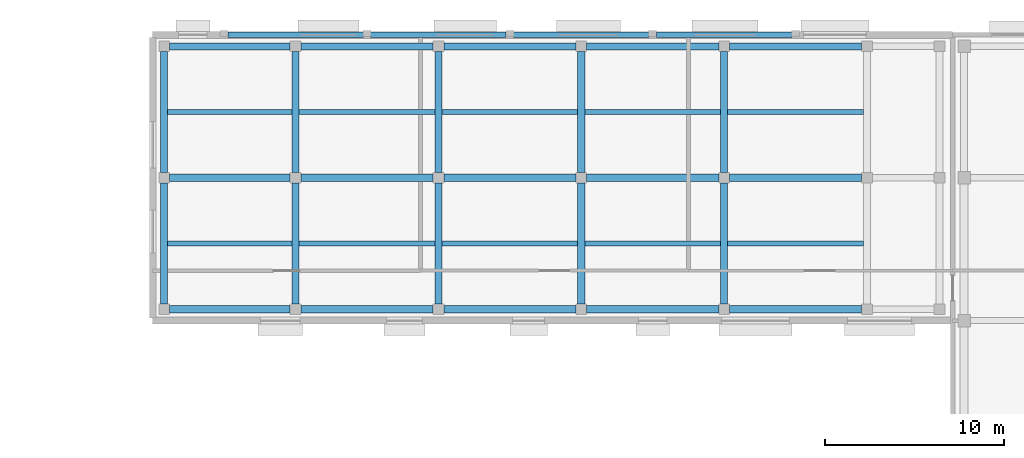
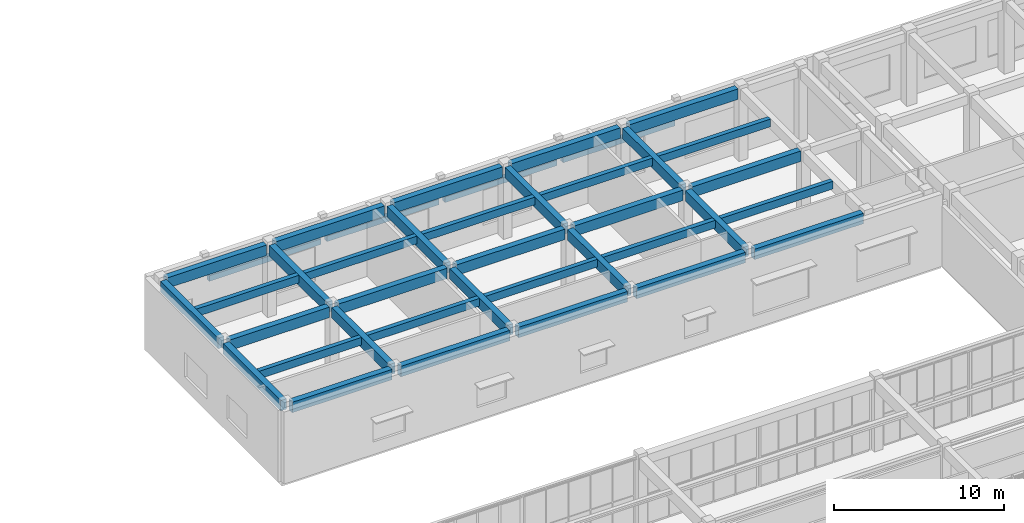
# One storey, part 20 of 64: 39 beams.
"""IFC4 building model written with IfcOpenShell, lengths in metres."""

from ifc_helpers import new_model, si_unit, direction, frame, origin, origin_2d, place, context, subcontext, project, spatial, rectangle, extrude, material, material_profile, profile_set, type_object, element, save


model = new_model("IFC4")

# Units and contexts
model_context = context("Model", 3, precision=1e-05, world=origin(), true_north=direction((0.0, 1.0)))
body_context = subcontext(model_context, "Body", "Model", "MODEL_VIEW")
ifc_project = project(units=[si_unit("LENGTHUNIT", "METRE"), si_unit("AREAUNIT", "SQUARE_METRE"), si_unit("VOLUMEUNIT", "CUBIC_METRE"), si_unit("PLANEANGLEUNIT", "RADIAN"), si_unit("MASSUNIT", "GRAM", prefix="KILO")], contexts=[model_context])

# Site, building, storey
site_placement = place(None, origin())
site = spatial("IfcSite", under=ifc_project, at=site_placement, CompositionType="ELEMENT")
building_placement = place(site_placement, origin())
building = spatial("IfcBuilding", under=site, at=building_placement, Name="Cinchona Park Media Centre", CompositionType="ELEMENT")
storey_placement = place(building_placement, frame((0.0, 0.0, 10.199951171875)))
storey = spatial("IfcBuildingStorey", under=building, at=storey_placement, Name="L02", CompositionType="ELEMENT", Elevation=10.199951171875)

# Beams
ifc_material_1 = material(Name="Concrete C35/45", Category="concrete")
ifc_material_profile_1 = material_profile(ifc_material_1, rectangle(XDim=0.39990234375, YDim=0.75, at=origin_2d()), Name="RB 400X750")
ifc_profile_set_1 = profile_set([ifc_material_profile_1], Name="Concrete C35/45")
beam_type_1 = type_object("IfcBeamType", Name="BEAM-B01-RB400X750", PredefinedType="BEAM", material=ifc_profile_set_1)
beam_1_placement = place(storey_placement, frame((95.739990234375, 102.639892578125, 4.78515625), z_axis=(1.0, 0.0, 0.0), x_axis=(0.0, 1.0, 0.0)))
element("IfcBeam", 1, at=beam_1_placement, inside=storey, type_object=beam_type_1, Name="Beam B01 L02", PredefinedType="BEAM", context=body_context, shape_type="SweptSolid", body=[
    extrude(rectangle(XDim=0.39990234375, YDim=0.75, at=origin_2d()), origin(), (0.0, 0.0, 1.0), 6.760009765625),
])
for number, where, z_axis, x_axis, name in (
    (2, (103.10009765625, 102.639892578125, 4.78515625), (1.0, 0.0, 0.0), (0.0, 1.0, 0.0), "Beam B01 L02"),
    (3, (111.10009765625, 102.639892578125, 4.78515625), (1.0, 0.0, 0.0), (0.0, 1.0, 0.0), "Beam B01 L02"),
    (4, (119.10009765625, 102.639892578125, 4.78515625), (1.0, 0.0, 0.0), (0.0, 1.0, 0.0), "Beam B01 L02"),
    (5, (127.10009765625, 102.639892578125, 4.78515625), (1.0, 0.0, 0.0), (0.0, 1.0, 0.0), "Beam B01 L02"),
):
    element("IfcBeam", number, at=place(storey_placement, frame(where, z_axis=z_axis, x_axis=x_axis)), inside=storey, type_object=beam_type_1, Name=name, PredefinedType="BEAM", context=body_context, shape_type="SweptSolid", body=[
        extrude(rectangle(XDim=0.39990234375, YDim=0.75, at=origin_2d()), origin(), (0.0, 0.0, 1.0), 7.39990234375),
    ])
beam_2_placement = place(storey_placement, frame((95.739990234375, 110.0, 4.78515625), z_axis=(1.0, 0.0, 0.0), x_axis=(0.0, 1.0, 0.0)))
element("IfcBeam", 6, at=beam_2_placement, inside=storey, type_object=beam_type_1, Name="Beam B01 L02", PredefinedType="BEAM", context=body_context, shape_type="SweptSolid", body=[
    extrude(rectangle(XDim=0.39990234375, YDim=0.75, at=origin_2d()), origin(), (0.0, 0.0, 1.0), 6.760009765625),
])
for number, where, z_axis, x_axis, name in (
    (7, (103.10009765625, 110.0, 4.78515625), (1.0, 0.0, 0.0), (0.0, 1.0, 0.0), "Beam B01 L02"),
    (8, (111.10009765625, 110.0, 4.78515625), (1.0, 0.0, 0.0), (0.0, 1.0, 0.0), "Beam B01 L02"),
    (9, (119.10009765625, 110.0, 4.78515625), (1.0, 0.0, 0.0), (0.0, 1.0, 0.0), "Beam B01 L02"),
    (10, (127.10009765625, 110.0, 4.78515625), (1.0, 0.0, 0.0), (0.0, 1.0, 0.0), "Beam B01 L02"),
):
    element("IfcBeam", number, at=place(storey_placement, frame(where, z_axis=z_axis, x_axis=x_axis)), inside=storey, type_object=beam_type_1, Name=name, PredefinedType="BEAM", context=body_context, shape_type="SweptSolid", body=[
        extrude(rectangle(XDim=0.39990234375, YDim=0.75, at=origin_2d()), origin(), (0.0, 0.0, 1.0), 7.39990234375),
    ])
beam_3_placement = place(storey_placement, frame((95.739990234375, 117.360107421875, 4.78515625), z_axis=(1.0, 0.0, 0.0), x_axis=(0.0, 1.0, 0.0)))
element("IfcBeam", 11, at=beam_3_placement, inside=storey, type_object=beam_type_1, Name="Beam B01 L02", PredefinedType="BEAM", context=body_context, shape_type="SweptSolid", body=[
    extrude(rectangle(XDim=0.39990234375, YDim=0.75, at=origin_2d()), origin(), (0.0, 0.0, 1.0), 6.760009765625),
])
for number, where, z_axis, x_axis, name in (
    (12, (103.10009765625, 117.360107421875, 4.78515625), (1.0, 0.0, 0.0), (0.0, 1.0, 0.0), "Beam B01 L02"),
    (13, (111.10009765625, 117.360107421875, 4.78515625), (1.0, 0.0, 0.0), (0.0, 1.0, 0.0), "Beam B01 L02"),
    (14, (119.10009765625, 117.360107421875, 4.78515625), (1.0, 0.0, 0.0), (0.0, 1.0, 0.0), "Beam B01 L02"),
    (15, (127.10009765625, 117.360107421875, 4.78515625), (1.0, 0.0, 0.0), (0.0, 1.0, 0.0), "Beam B01 L02"),
):
    element("IfcBeam", number, at=place(storey_placement, frame(where, z_axis=z_axis, x_axis=x_axis)), inside=storey, type_object=beam_type_1, Name=name, PredefinedType="BEAM", context=body_context, shape_type="SweptSolid", body=[
        extrude(rectangle(XDim=0.39990234375, YDim=0.75, at=origin_2d()), origin(), (0.0, 0.0, 1.0), 7.39990234375),
    ])
for number, where, z_axis, x_axis, name in (
    (16, (95.43994140625, 102.93994140625, 4.78515625), (0.0, 1.0, 0.0), (-1.0, 0.0, 0.0), "Girder B01 L02"),
    (17, (95.43994140625, 110.300048828125, 4.78515625), (0.0, 1.0, 0.0), (-1.0, 0.0, 0.0), "Girder B01 L02"),
    (18, (102.800048828125, 102.93994140625, 4.78515625), (0.0, 1.0, 0.0), (-1.0, 0.0, 0.0), "Girder B01 L02"),
    (19, (102.800048828125, 110.300048828125, 4.78515625), (0.0, 1.0, 0.0), (-1.0, 0.0, 0.0), "Girder B01 L02"),
    (20, (110.800048828125, 102.93994140625, 4.78515625), (0.0, 1.0, 0.0), (-1.0, 0.0, 0.0), "Girder B01 L02"),
    (21, (110.800048828125, 110.300048828125, 4.78515625), (0.0, 1.0, 0.0), (-1.0, 0.0, 0.0), "Girder B01 L02"),
    (22, (118.800048828125, 102.93994140625, 4.78515625), (0.0, 1.0, 0.0), (-1.0, 0.0, 0.0), "Girder B01 L02"),
    (23, (118.800048828125, 110.300048828125, 4.78515625), (0.0, 1.0, 0.0), (-1.0, 0.0, 0.0), "Girder B01 L02"),
    (24, (126.800048828125, 102.93994140625, 4.78515625), (0.0, 1.0, 0.0), (-1.0, 0.0, 0.0), "Girder B01 L02"),
    (25, (126.800048828125, 110.300048828125, 4.78515625), (0.0, 1.0, 0.0), (-1.0, 0.0, 0.0), "Girder B01 L02"),
):
    element("IfcBeam", number, at=place(storey_placement, frame(where, z_axis=z_axis, x_axis=x_axis)), inside=storey, type_object=beam_type_1, Name=name, PredefinedType="BEAM", context=body_context, shape_type="SweptSolid", body=[
        extrude(rectangle(XDim=0.39990234375, YDim=0.75, at=origin_2d()), origin(), (0.0, 0.0, 1.0), 6.760009765625),
    ])
ifc_material_2 = material(Name="Concrete C35/45", Category="concrete")
ifc_material_profile_2 = material_profile(ifc_material_2, rectangle(XDim=0.300048828125, YDim=0.550048828125, at=origin_2d()), Name="RB 300X550")
ifc_profile_set_2 = profile_set([ifc_material_profile_2], Name="Concrete C35/45")
beam_type_2 = type_object("IfcBeamType", Name="BEAM-J01-RB300X550", PredefinedType="JOIST", material=ifc_profile_set_2)
for number, where, z_axis, x_axis, name in (
    (26, (95.639892578125, 106.320068359375, 4.885009765625), (1.0, 0.0, 0.0), (0.0, 1.0, 0.0), "Floor Joist J01 L02"),
    (27, (95.639892578125, 113.679931640625, 4.885009765625), (1.0, 0.0, 0.0), (0.0, 1.0, 0.0), "Floor Joist J01 L02"),
):
    element("IfcBeam", number, at=place(storey_placement, frame(where, z_axis=z_axis, x_axis=x_axis)), inside=storey, type_object=beam_type_2, Name=name, PredefinedType="JOIST", context=body_context, shape_type="SweptSolid", body=[
        extrude(rectangle(XDim=0.300048828125, YDim=0.550048828125, at=origin_2d()), origin(), (0.0, 0.0, 1.0), 6.960205078125),
    ])
for number, where, z_axis, x_axis, name in (
    (28, (103.0, 106.320068359375, 4.885009765625), (1.0, 0.0, 0.0), (0.0, 1.0, 0.0), "Floor Joist J01 L02"),
    (29, (103.0, 113.679931640625, 4.885009765625), (1.0, 0.0, 0.0), (0.0, 1.0, 0.0), "Floor Joist J01 L02"),
    (30, (111.0, 106.320068359375, 4.885009765625), (1.0, 0.0, 0.0), (0.0, 1.0, 0.0), "Floor Joist J01 L02"),
    (31, (111.0, 113.679931640625, 4.885009765625), (1.0, 0.0, 0.0), (0.0, 1.0, 0.0), "Floor Joist J01 L02"),
    (32, (119.0, 106.320068359375, 4.885009765625), (1.0, 0.0, 0.0), (0.0, 1.0, 0.0), "Floor Joist J01 L02"),
    (33, (119.0, 113.679931640625, 4.885009765625), (1.0, 0.0, 0.0), (0.0, 1.0, 0.0), "Floor Joist J01 L02"),
    (34, (127.0, 106.320068359375, 4.885009765625), (1.0, 0.0, 0.0), (0.0, 1.0, 0.0), "Floor Joist J01 L02"),
    (35, (127.0, 113.679931640625, 4.885009765625), (1.0, 0.0, 0.0), (0.0, 1.0, 0.0), "Floor Joist J01 L02"),
):
    element("IfcBeam", number, at=place(storey_placement, frame(where, z_axis=z_axis, x_axis=x_axis)), inside=storey, type_object=beam_type_2, Name=name, PredefinedType="JOIST", context=body_context, shape_type="SweptSolid", body=[
        extrude(rectangle(XDim=0.300048828125, YDim=0.550048828125, at=origin_2d()), origin(), (0.0, 0.0, 1.0), 7.60009765625),
    ])
ifc_material_3 = material(Name="Concrete C35/45", Category="concrete")
ifc_material_profile_3 = material_profile(ifc_material_3, rectangle(XDim=0.300048828125, YDim=0.39990234375, at=origin_2d()), Name="RL 300X400")
ifc_profile_set_3 = profile_set([ifc_material_profile_3], Name="Concrete C35/45")
beam_type_3 = type_object("IfcBeamType", Name="BEAM-LN02-RL300X400", PredefinedType="LINTEL", material=ifc_profile_set_3)
for number, where, z_axis, x_axis, name in (
    (36, (99.0048828125, 118.0, 3.550048828125), (1.0, 0.0, 0.0), (0.0, 1.0, 0.0), "Window Lintel LN02"),
    (37, (107.0048828125, 118.0, 3.60009765625), (1.0, 0.0, 0.0), (0.0, 1.0, 0.0), "Window Lintel LN02"),
    (38, (115.0048828125, 118.0, 3.60009765625), (1.0, 0.0, 0.0), (0.0, 1.0, 0.0), "Window Lintel LN02"),
    (39, (123.0048828125, 118.0, 3.650146484375), (1.0, 0.0, 0.0), (0.0, 1.0, 0.0), "Window Lintel LN02"),
):
    element("IfcBeam", number, at=place(storey_placement, frame(where, z_axis=z_axis, x_axis=x_axis)), inside=storey, type_object=beam_type_3, Name=name, PredefinedType="LINTEL", context=body_context, shape_type="SweptSolid", body=[
        extrude(rectangle(XDim=0.300048828125, YDim=0.39990234375, at=origin_2d()), origin(), (0.0, 0.0, 1.0), 7.590087890625),
    ])

save(model, "model.ifc")
